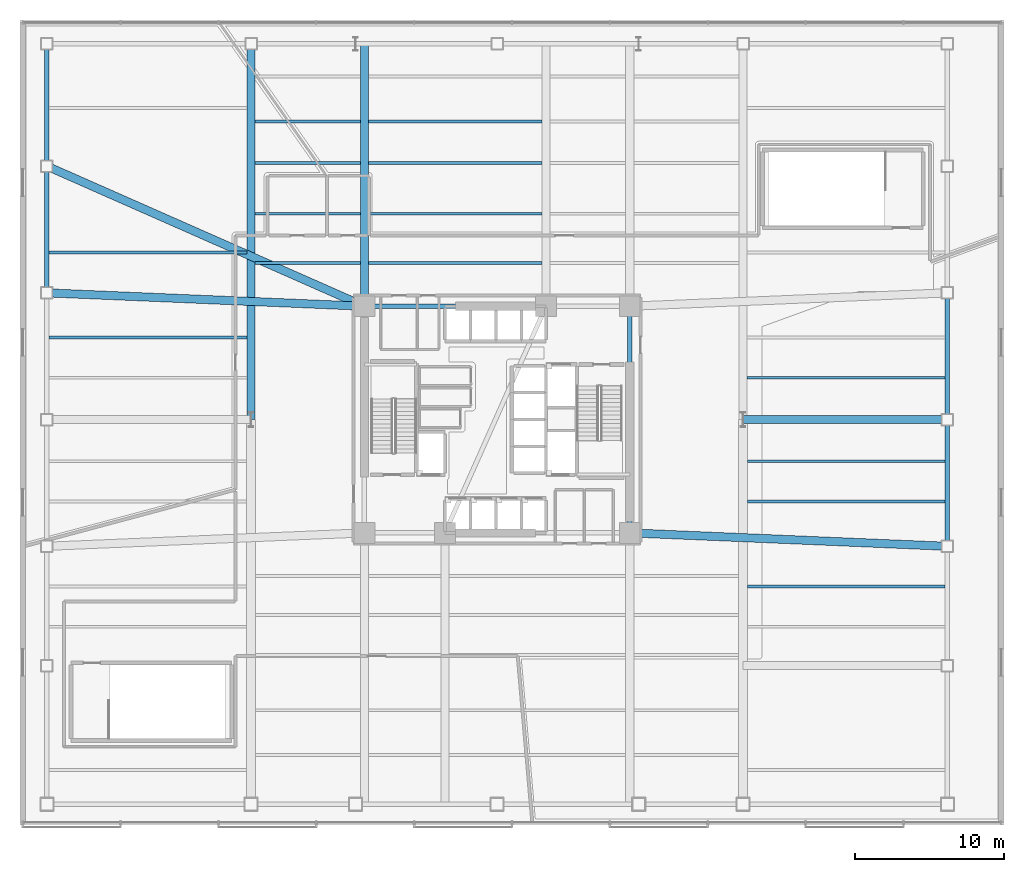
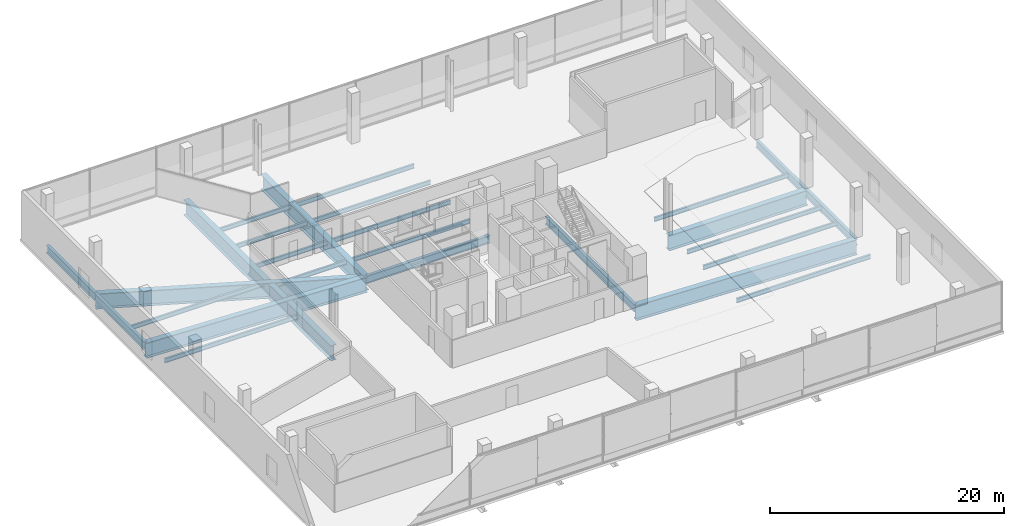
# One storey, part 5 of 19: 26 beams.
"""IFC4 building model written with IfcOpenShell, lengths in metres."""

from ifc_helpers import new_model, si_unit, direction, frame, origin, origin_2d, place, context, subcontext, project, spatial, i_section, extrude, material, material_profile, profile_set, type_object, element, save


model = new_model("IFC4")

# Units and contexts
model_context = context("Model", 3, precision=1e-05, world=origin(), true_north=direction((0.0, 1.0)))
body_context = subcontext(model_context, "Body", "Model", "MODEL_VIEW")
ifc_project = project(units=[si_unit("LENGTHUNIT", "METRE"), si_unit("AREAUNIT", "SQUARE_METRE"), si_unit("VOLUMEUNIT", "CUBIC_METRE"), si_unit("PLANEANGLEUNIT", "RADIAN"), si_unit("MASSUNIT", "GRAM", prefix="KILO")], contexts=[model_context])

# Site, building, storey
site_placement = place(None, origin())
site = spatial("IfcSite", under=ifc_project, at=site_placement, CompositionType="ELEMENT")
building_placement = place(site_placement, origin())
building = spatial("IfcBuilding", under=site, at=building_placement, Name="Tharavind Bronze Gate", CompositionType="ELEMENT")
storey_placement = place(building_placement, frame((0.0, 0.0, 26.5)))
storey = spatial("IfcBuildingStorey", under=building, at=storey_placement, Name="L05", CompositionType="ELEMENT", Elevation=26.5)

# Beams
ifc_material_1 = material(Name="Steel S355", Category="steel")
ifc_material_profile_1 = material_profile(ifc_material_1, i_section(OverallWidth=0.300048828125, OverallDepth=0.800048828125, WebThickness=0.017578125, FlangeThickness=0.032958984375, at=origin_2d()), Name="HE800B")
ifc_profile_set_1 = profile_set([ifc_material_profile_1], Name="Steel S355")
beam_type_1 = type_object("IfcBeamType", Name="RING GIRDER HE800B", PredefinedType="USERDEFINED", material=ifc_profile_set_1)
beam_1_placement = place(storey_placement, frame((8.89990234375, -7.60009765625, -0.659912109375), z_axis=(0.0, 1.0, 0.0), x_axis=(-1.0, 0.0, 0.0)))
element("IfcBeam", 1, at=beam_1_placement, inside=storey, type_object=beam_type_1, Name="L05 ring girder he800b BM-L05-CR3", ObjectType="GIRDER", PredefinedType="USERDEFINED", context=body_context, shape_type="SweptSolid", body=[
    extrude(i_section(OverallWidth=0.300048828125, OverallDepth=0.800048828125, WebThickness=0.017578125, FlangeThickness=0.032958984375, at=origin_2d()), origin(), (0.0, 0.0, 1.0), 15.2001953125),
])
beam_2_placement = place(storey_placement, frame((3.280029296875, 7.60009765625, -0.659912109375), z_axis=(-1.0, 0.0, 0.0), x_axis=(0.0, -1.0, 0.0)))
element("IfcBeam", 2, at=beam_2_placement, inside=storey, type_object=beam_type_1, Name="L05 ring girder he800b BM-L05-CR5", ObjectType="GIRDER", PredefinedType="USERDEFINED", context=body_context, shape_type="SweptSolid", body=[
    extrude(i_section(OverallWidth=0.300048828125, OverallDepth=0.800048828125, WebThickness=0.017578125, FlangeThickness=0.032958984375, at=origin_2d()), origin(), (0.0, 0.0, 1.0), 12.179931640625),
])
for number, where, z_axis, x_axis, name in (
    (3, (30.199951171875, -8.5, -0.659912109375), (0.0, 1.0, 0.0), (-1.0, 0.0, 0.0), "L05 ring girder he800b BM-L05-PE3"),
    (4, (30.199951171875, 0.0, -0.659912109375), (0.0, 1.0, 0.0), (-1.0, 0.0, 0.0), "L05 ring girder he800b BM-L05-PE4"),
    (5, (-30.199951171875, 8.5, -0.659912109375), (0.0, 1.0, 0.0), (-1.0, 0.0, 0.0), "L05 ring girder he800b BM-L05-PW5"),
):
    element("IfcBeam", number, at=place(storey_placement, frame(where, z_axis=z_axis, x_axis=x_axis)), inside=storey, type_object=beam_type_1, Name=name, ObjectType="GIRDER", PredefinedType="USERDEFINED", context=body_context, shape_type="SweptSolid", body=[
        extrude(i_section(OverallWidth=0.300048828125, OverallDepth=0.800048828125, WebThickness=0.017578125, FlangeThickness=0.032958984375, at=origin_2d()), origin(), (0.0, 0.0, 1.0), 8.5),
    ])
beam_3_placement = place(storey_placement, frame((-30.199951171875, 17.0, -0.659912109375), z_axis=(0.0, 1.0, 0.0), x_axis=(-1.0, 0.0, 0.0)))
element("IfcBeam", 6, at=beam_3_placement, inside=storey, type_object=beam_type_1, Name="L05 ring girder he800b BM-L05-PW6", ObjectType="GIRDER", PredefinedType="USERDEFINED", context=body_context, shape_type="SweptSolid", body=[
    extrude(i_section(OverallWidth=0.300048828125, OverallDepth=0.800048828125, WebThickness=0.017578125, FlangeThickness=0.032958984375, at=origin_2d()), origin(), (0.0, 0.0, 1.0), 8.199951171875),
])
ifc_material_profile_2 = material_profile(ifc_material_1, i_section(OverallWidth=0.18994140625, OverallDepth=0.449951171875, WebThickness=0.009521484375, FlangeThickness=0.0146484375, at=origin_2d()), Name="IPE450")
ifc_profile_set_2 = profile_set([ifc_material_profile_2], Name="Steel S355")
beam_type_2 = type_object("IfcBeamType", Name="SECONDARY FLOOR JOIST IPE450", PredefinedType="JOIST", material=ifc_profile_set_2)
beam_4_placement = place(storey_placement, frame((-8.623046875, 10.5, -0.485107421875), z_axis=(1.0, 0.0, 0.0), x_axis=(0.0, 1.0, 0.0)))
element("IfcBeam", 7, at=beam_4_placement, inside=storey, type_object=beam_type_2, Name="L05 secondary floor joist ipe450 BM-L05-JSN1A", PredefinedType="JOIST", context=body_context, shape_type="SweptSolid", body=[
    extrude(i_section(OverallWidth=0.18994140625, OverallDepth=0.449951171875, WebThickness=0.009521484375, FlangeThickness=0.0146484375, at=origin_2d()), origin(), (0.0, 0.0, 1.0), 11.6259765625),
])
beam_5_placement = place(storey_placement, frame((-16.222900390625, 10.5, -0.485107421875), z_axis=(1.0, 0.0, 0.0), x_axis=(0.0, 1.0, 0.0)))
element("IfcBeam", 8, at=beam_5_placement, inside=storey, type_object=beam_type_2, Name="L05 secondary floor joist ipe450 BM-L05-JSN1W", PredefinedType="JOIST", context=body_context, shape_type="SweptSolid", body=[
    extrude(i_section(OverallWidth=0.18994140625, OverallDepth=0.449951171875, WebThickness=0.009521484375, FlangeThickness=0.0146484375, at=origin_2d()), origin(), (0.0, 0.0, 1.0), 7.0458984375),
])
beam_6_placement = place(storey_placement, frame((-8.623046875, 13.800048828125, -0.485107421875), z_axis=(1.0, 0.0, 0.0), x_axis=(0.0, 1.0, 0.0)))
element("IfcBeam", 9, at=beam_6_placement, inside=storey, type_object=beam_type_2, Name="L05 secondary floor joist ipe450 BM-L05-JSN2A", PredefinedType="JOIST", context=body_context, shape_type="SweptSolid", body=[
    extrude(i_section(OverallWidth=0.18994140625, OverallDepth=0.449951171875, WebThickness=0.009521484375, FlangeThickness=0.0146484375, at=origin_2d()), origin(), (0.0, 0.0, 1.0), 11.6259765625),
])
beam_7_placement = place(storey_placement, frame((-16.222900390625, 13.800048828125, -0.485107421875), z_axis=(1.0, 0.0, 0.0), x_axis=(0.0, 1.0, 0.0)))
element("IfcBeam", 10, at=beam_7_placement, inside=storey, type_object=beam_type_2, Name="L05 secondary floor joist ipe450 BM-L05-JSN2W", PredefinedType="JOIST", context=body_context, shape_type="SweptSolid", body=[
    extrude(i_section(OverallWidth=0.18994140625, OverallDepth=0.449951171875, WebThickness=0.009521484375, FlangeThickness=0.0146484375, at=origin_2d()), origin(), (0.0, 0.0, 1.0), 7.0458984375),
])
beam_8_placement = place(storey_placement, frame((-8.623046875, 17.199951171875, -0.485107421875), z_axis=(1.0, 0.0, 0.0), x_axis=(0.0, 1.0, 0.0)))
element("IfcBeam", 11, at=beam_8_placement, inside=storey, type_object=beam_type_2, Name="L05 secondary floor joist ipe450 BM-L05-JSN3A", PredefinedType="JOIST", context=body_context, shape_type="SweptSolid", body=[
    extrude(i_section(OverallWidth=0.18994140625, OverallDepth=0.449951171875, WebThickness=0.009521484375, FlangeThickness=0.0146484375, at=origin_2d()), origin(), (0.0, 0.0, 1.0), 11.6259765625),
])
beam_9_placement = place(storey_placement, frame((-16.222900390625, 17.199951171875, -0.485107421875), z_axis=(1.0, 0.0, 0.0), x_axis=(0.0, 1.0, 0.0)))
element("IfcBeam", 12, at=beam_9_placement, inside=storey, type_object=beam_type_2, Name="L05 secondary floor joist ipe450 BM-L05-JSN3W", PredefinedType="JOIST", context=body_context, shape_type="SweptSolid", body=[
    extrude(i_section(OverallWidth=0.18994140625, OverallDepth=0.449951171875, WebThickness=0.009521484375, FlangeThickness=0.0146484375, at=origin_2d()), origin(), (0.0, 0.0, 1.0), 7.0458984375),
])
beam_10_placement = place(storey_placement, frame((-8.623046875, 20.0, -0.485107421875), z_axis=(1.0, 0.0, 0.0), x_axis=(0.0, 1.0, 0.0)))
element("IfcBeam", 13, at=beam_10_placement, inside=storey, type_object=beam_type_2, Name="L05 secondary floor joist ipe450 BM-L05-JSN4A", PredefinedType="JOIST", context=body_context, shape_type="SweptSolid", body=[
    extrude(i_section(OverallWidth=0.18994140625, OverallDepth=0.449951171875, WebThickness=0.009521484375, FlangeThickness=0.0146484375, at=origin_2d()), origin(), (0.0, 0.0, 1.0), 11.6259765625),
])
beam_11_placement = place(storey_placement, frame((-16.222900390625, 20.0, -0.485107421875), z_axis=(1.0, 0.0, 0.0), x_axis=(0.0, 1.0, 0.0)))
element("IfcBeam", 14, at=beam_11_placement, inside=storey, type_object=beam_type_2, Name="L05 secondary floor joist ipe450 BM-L05-JSN4W", PredefinedType="JOIST", context=body_context, shape_type="SweptSolid", body=[
    extrude(i_section(OverallWidth=0.18994140625, OverallDepth=0.449951171875, WebThickness=0.009521484375, FlangeThickness=0.0146484375, at=origin_2d()), origin(), (0.0, 0.0, 1.0), 7.0458984375),
])
for number, where, z_axis, x_axis, name in (
    (15, (16.802001953125, -11.199951171875, -0.485107421875), (1.0, 0.0, 0.0), (0.0, 1.0, 0.0), "L05 secondary floor joist ipe450 BM-L05-JSEE3"),
    (16, (16.802001953125, -5.5, -0.485107421875), (1.0, 0.0, 0.0), (0.0, 1.0, 0.0), "L05 secondary floor joist ipe450 BM-L05-JSEE4"),
    (17, (16.802001953125, -2.800048828125, -0.485107421875), (1.0, 0.0, 0.0), (0.0, 1.0, 0.0), "L05 secondary floor joist ipe450 BM-L05-JSEE5"),
):
    element("IfcBeam", number, at=place(storey_placement, frame(where, z_axis=z_axis, x_axis=x_axis)), inside=storey, type_object=beam_type_2, Name=name, PredefinedType="JOIST", context=body_context, shape_type="SweptSolid", body=[
        extrude(i_section(OverallWidth=0.18994140625, OverallDepth=0.449951171875, WebThickness=0.009521484375, FlangeThickness=0.0146484375, at=origin_2d()), origin(), (0.0, 0.0, 1.0), 13.238037109375),
    ])
for number, where, z_axis, x_axis, name in (
    (18, (16.777099609375, 2.800048828125, -0.485107421875), (1.0, 0.0, 0.0), (0.0, 1.0, 0.0), "L05 secondary floor joist ipe450 BM-L05-JSEE6"),
    (19, (-30.0400390625, 5.5, -0.485107421875), (1.0, 0.0, 0.0), (0.0, 1.0, 0.0), "L05 secondary floor joist ipe450 BM-L05-JSWW7"),
    (20, (-30.0400390625, 11.199951171875, -0.485107421875), (1.0, 0.0, 0.0), (0.0, 1.0, 0.0), "L05 secondary floor joist ipe450 BM-L05-JSWW8"),
):
    element("IfcBeam", number, at=place(storey_placement, frame(where, z_axis=z_axis, x_axis=x_axis)), inside=storey, type_object=beam_type_2, Name=name, PredefinedType="JOIST", context=body_context, shape_type="SweptSolid", body=[
        extrude(i_section(OverallWidth=0.18994140625, OverallDepth=0.449951171875, WebThickness=0.009521484375, FlangeThickness=0.0146484375, at=origin_2d()), origin(), (0.0, 0.0, 1.0), 13.262939453125),
    ])
ifc_material_2 = material(Name="Steel S460", Category="steel")
ifc_material_profile_3 = material_profile(ifc_material_2, i_section(OverallWidth=0.550048828125, OverallDepth=1.60009765625, WebThickness=0.030029296875, FlangeThickness=0.050048828125, at=origin_2d()), Name="PG1600X550")
ifc_profile_set_3 = profile_set([ifc_material_profile_3], Name="Steel S460")
beam_type_3 = type_object("IfcBeamType", Name="TRANSFER GIRDER 1600X550", PredefinedType="USERDEFINED", material=ifc_profile_set_3)
beam_12_placement = place(storey_placement, frame((-16.5, 0.0, -1.06005859375), z_axis=(0.0, 1.0, 0.0), x_axis=(-1.0, 0.0, 0.0)))
element("IfcBeam", 21, at=beam_12_placement, inside=storey, type_object=beam_type_3, Name="L05 transfer girder 1600x550 BM-L05-GS1N", ObjectType="TRANSFER GIRDER", PredefinedType="USERDEFINED", context=body_context, shape_type="SweptSolid", body=[
    extrude(i_section(OverallWidth=0.550048828125, OverallDepth=1.60009765625, WebThickness=0.030029296875, FlangeThickness=0.050048828125, at=origin_2d()), origin(), (0.0, 0.0, 1.0), 25.199951171875),
])
beam_13_placement = place(storey_placement, frame((-8.89990234375, 25.199951171875, -1.06005859375), z_axis=(0.0, -1.0, 0.0), x_axis=(1.0, 0.0, 0.0)))
element("IfcBeam", 22, at=beam_13_placement, inside=storey, type_object=beam_type_3, Name="L05 transfer girder 1600x550 BM-L05-GN2", ObjectType="TRANSFER GIRDER", PredefinedType="USERDEFINED", context=body_context, shape_type="SweptSolid", body=[
    extrude(i_section(OverallWidth=0.550048828125, OverallDepth=1.60009765625, WebThickness=0.030029296875, FlangeThickness=0.050048828125, at=origin_2d()), origin(), (0.0, 0.0, 1.0), 17.599853515625),
])
beam_14_placement = place(storey_placement, frame((-30.199951171875, 8.5, -1.06005859375), z_axis=(0.999108710794, -0.04221118354, 0.0), x_axis=(0.04221118354, 0.999108710794, 0.0)))
element("IfcBeam", 23, at=beam_14_placement, inside=storey, type_object=beam_type_3, Name="L05 transfer girder 1600x550 BM-L05-GW2", ObjectType="TRANSFER GIRDER", PredefinedType="USERDEFINED", context=body_context, shape_type="SweptSolid", body=[
    extrude(i_section(OverallWidth=0.550048828125, OverallDepth=1.60009765625, WebThickness=0.030029296875, FlangeThickness=0.050048828125, at=origin_2d()), origin(), (0.0, 0.0, 1.0), 21.319091796875),
])
beam_15_placement = place(storey_placement, frame((-30.199951171875, 17.0, -1.06005859375), z_axis=(0.914873033852, -0.403741664844, 0.0), x_axis=(0.403741664844, 0.914873033852, 0.0)))
element("IfcBeam", 24, at=beam_15_placement, inside=storey, type_object=beam_type_3, Name="L05 transfer girder 1600x550 BM-L05-GW4", ObjectType="TRANSFER GIRDER", PredefinedType="USERDEFINED", context=body_context, shape_type="SweptSolid", body=[
    extrude(i_section(OverallWidth=0.550048828125, OverallDepth=1.60009765625, WebThickness=0.030029296875, FlangeThickness=0.050048828125, at=origin_2d()), origin(), (0.0, 0.0, 1.0), 23.281982421875),
])
beam_16_placement = place(storey_placement, frame((30.199951171875, -8.5, -1.06005859375), z_axis=(-0.999108710794, 0.04221118354, 0.0), x_axis=(-0.04221118354, -0.999108710794, 0.0)))
element("IfcBeam", 25, at=beam_16_placement, inside=storey, type_object=beam_type_3, Name="L05 transfer girder 1600x550 BM-L05-GE1", ObjectType="TRANSFER GIRDER", PredefinedType="USERDEFINED", context=body_context, shape_type="SweptSolid", body=[
    extrude(i_section(OverallWidth=0.550048828125, OverallDepth=1.60009765625, WebThickness=0.030029296875, FlangeThickness=0.050048828125, at=origin_2d()), origin(), (0.0, 0.0, 1.0), 21.319091796875),
])
beam_17_placement = place(storey_placement, frame((30.199951171875, 0.0, -1.06005859375), z_axis=(-1.0, 0.0, 0.0), x_axis=(0.0, -1.0, 0.0)))
element("IfcBeam", 26, at=beam_17_placement, inside=storey, type_object=beam_type_3, Name="L05 transfer girder 1600x550 BM-L05-GE3", ObjectType="TRANSFER GIRDER", PredefinedType="USERDEFINED", context=body_context, shape_type="SweptSolid", body=[
    extrude(i_section(OverallWidth=0.550048828125, OverallDepth=1.60009765625, WebThickness=0.030029296875, FlangeThickness=0.050048828125, at=origin_2d()), origin(), (0.0, 0.0, 1.0), 13.699951171875),
])

save(model, "model.ifc")
